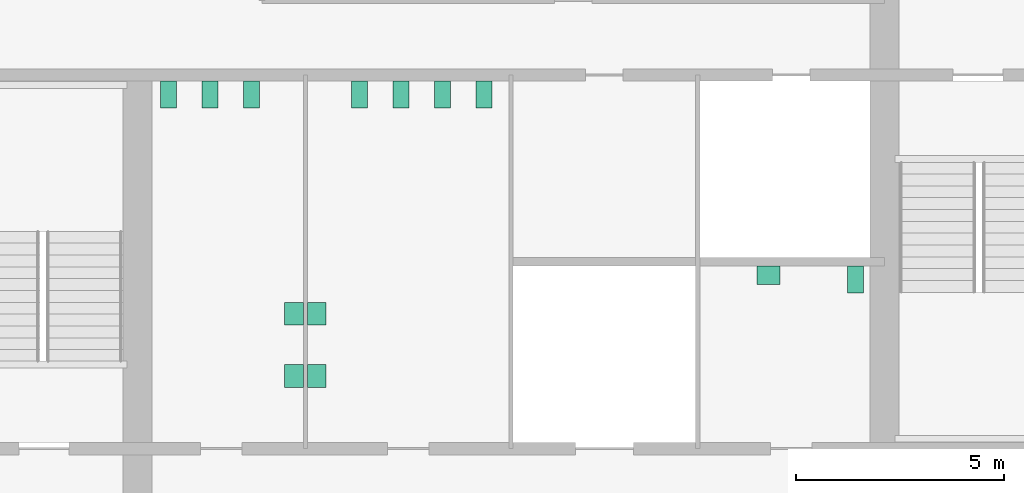
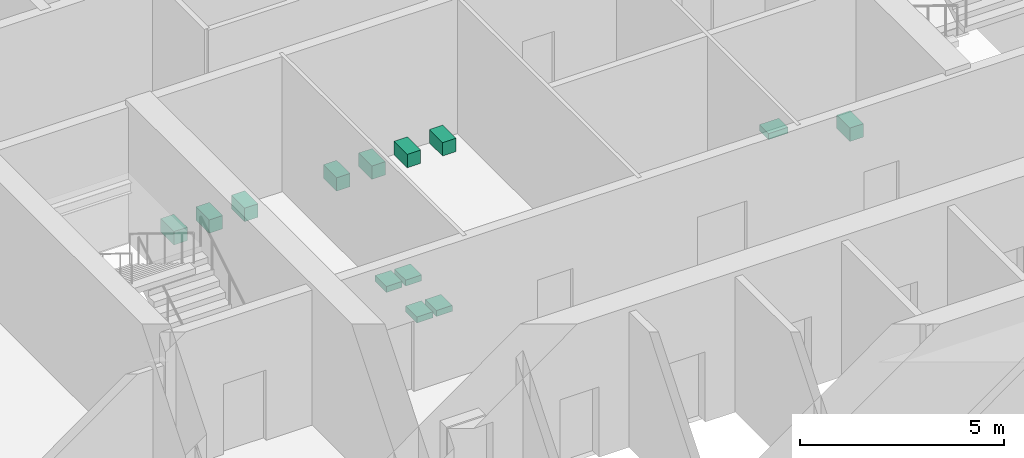
# One storey, part 12 of 12: 13 sanitary terminals.
"""IFC4 building model written with IfcOpenShell, lengths in metres."""

from ifc_helpers import new_model, si_unit, direction, frame, origin, origin_2d, place, context, subcontext, project, spatial, rectangle, extrude, material, type_object, element, save


model = new_model("IFC4")

# Units and contexts
model_context = context("Model", 3, precision=1e-05, world=origin(), true_north=direction((0.0, 1.0)))
body_context = subcontext(model_context, "Body", "Model", "MODEL_VIEW")
ifc_project = project(units=[si_unit("LENGTHUNIT", "METRE"), si_unit("AREAUNIT", "SQUARE_METRE"), si_unit("VOLUMEUNIT", "CUBIC_METRE"), si_unit("PLANEANGLEUNIT", "RADIAN"), si_unit("MASSUNIT", "GRAM", prefix="KILO")], contexts=[model_context])

# Site, building, storey
site_placement = place(None, origin())
site = spatial("IfcSite", under=ifc_project, at=site_placement, CompositionType="ELEMENT")
building_placement = place(site_placement, origin())
building = spatial("IfcBuilding", under=site, at=building_placement, Name="Corais Broadcast Tower", CompositionType="ELEMENT")
storey_placement = place(building_placement, frame((0.0, 0.0, 41.60009765625)))
storey = spatial("IfcBuildingStorey", under=building, at=storey_placement, Name="L08", CompositionType="ELEMENT", Elevation=41.60009765625)

# Sanitary terminals
ifc_material_1 = material(Name="Vitreous china", Category="ceramic")
sanitary_terminal_type_1 = type_object("IfcSanitaryTerminalType", Name="WC pan 380x650", PredefinedType="TOILETPAN", material=ifc_material_1)
for number, where, z_axis, x_axis, name in (
    (1, (18.75, 31.02490234375, 0.0), (0.0, 0.0, 1.0), (1.0, 0.0, 0.0), "SW1 WC pan, male toilets L08"),
    (2, (19.75, 31.02490234375, 0.0), (0.0, 0.0, 1.0), (1.0, 0.0, 0.0), "SW1 WC pan, male toilets L08"),
    (3, (20.75, 31.02490234375, 0.0), (0.0, 0.0, 1.0), (1.0, 0.0, 0.0), "SW1 WC pan, male toilets L08"),
    (4, (23.35009765625, 31.02490234375, 0.0), (0.0, 0.0, 1.0), (1.0, 0.0, 0.0), "SW1 WC pan, female toilets L08"),
    (5, (24.35009765625, 31.02490234375, 0.0), (0.0, 0.0, 1.0), (1.0, 0.0, 0.0), "SW1 WC pan, female toilets L08"),
    (6, (25.35009765625, 31.02490234375, 0.0), (0.0, 0.0, 1.0), (1.0, 0.0, 0.0), "SW1 WC pan, female toilets L08"),
    (7, (26.35009765625, 31.02490234375, 0.0), (0.0, 0.0, 1.0), (1.0, 0.0, 0.0), "SW1 WC pan, female toilets L08"),
    (8, (35.300048828125, 26.574951171875, 0.0), (0.0, 0.0, 1.0), (1.0, 0.0, 0.0), "SW1 WC pan, accessible WC L08"),
):
    element("IfcSanitaryTerminal", number, at=place(storey_placement, frame(where, z_axis=z_axis, x_axis=x_axis)), inside=storey, type_object=sanitary_terminal_type_1, Name=name, PredefinedType="TOILETPAN", context=body_context, shape_type="SweptSolid", body=[
        extrude(rectangle(XDim=0.3798828125, YDim=0.64990234375, at=origin_2d()), origin(), (0.0, 0.0, 1.0), 0.39990234375),
    ])
ifc_material_2 = material(Name="Vitreous china", Category="ceramic")
sanitary_terminal_type_2 = type_object("IfcSanitaryTerminalType", Name="Wash basin 550x450", PredefinedType="WASHHANDBASIN", material=ifc_material_2)
for number, where, z_axis, x_axis, name in (
    (9, (21.77490234375, 24.25, 0.69970703125), (0.0, 0.0, 1.0), (1.0, 0.0, 0.0), "WB1 wash basin, male toilets L08"),
    (10, (21.77490234375, 25.75, 0.69970703125), (0.0, 0.0, 1.0), (1.0, 0.0, 0.0), "WB1 wash basin, male toilets L08"),
    (11, (22.324951171875, 24.25, 0.69970703125), (0.0, 0.0, 1.0), (1.0, 0.0, 0.0), "WB1 wash basin, female toilets L08"),
    (12, (22.324951171875, 25.75, 0.69970703125), (0.0, 0.0, 1.0), (1.0, 0.0, 0.0), "WB1 wash basin, female toilets L08"),
):
    element("IfcSanitaryTerminal", number, at=place(storey_placement, frame(where, z_axis=z_axis, x_axis=x_axis)), inside=storey, type_object=sanitary_terminal_type_2, Name=name, PredefinedType="WASHHANDBASIN", context=body_context, shape_type="SweptSolid", body=[
        extrude(rectangle(XDim=0.449951171875, YDim=0.550048828125, at=origin_2d()), origin(), (0.0, 0.0, 1.0), 0.179931640625),
    ])
sanitary_terminal_placement = place(storey_placement, frame((33.199951171875, 26.675048828125, 0.69970703125), z_axis=(0.0, 0.0, 1.0), x_axis=(1.0, 0.0, 0.0)))
element("IfcSanitaryTerminal", 13, at=sanitary_terminal_placement, inside=storey, type_object=sanitary_terminal_type_2, Name="WB1 wash basin, accessible WC L08", PredefinedType="WASHHANDBASIN", context=body_context, shape_type="SweptSolid", body=[
    extrude(rectangle(XDim=0.550048828125, YDim=0.449951171875, at=origin_2d()), origin(), (0.0, 0.0, 1.0), 0.179931640625),
])

save(model, "model.ifc")
